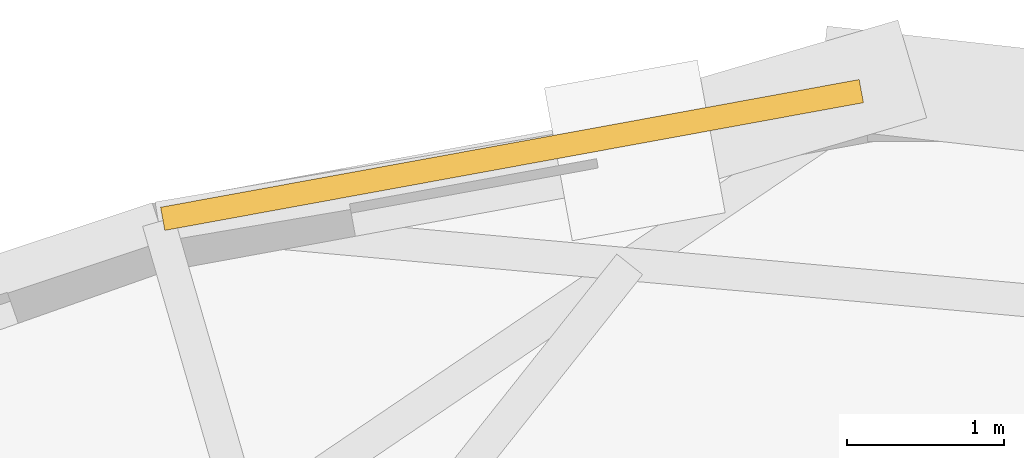
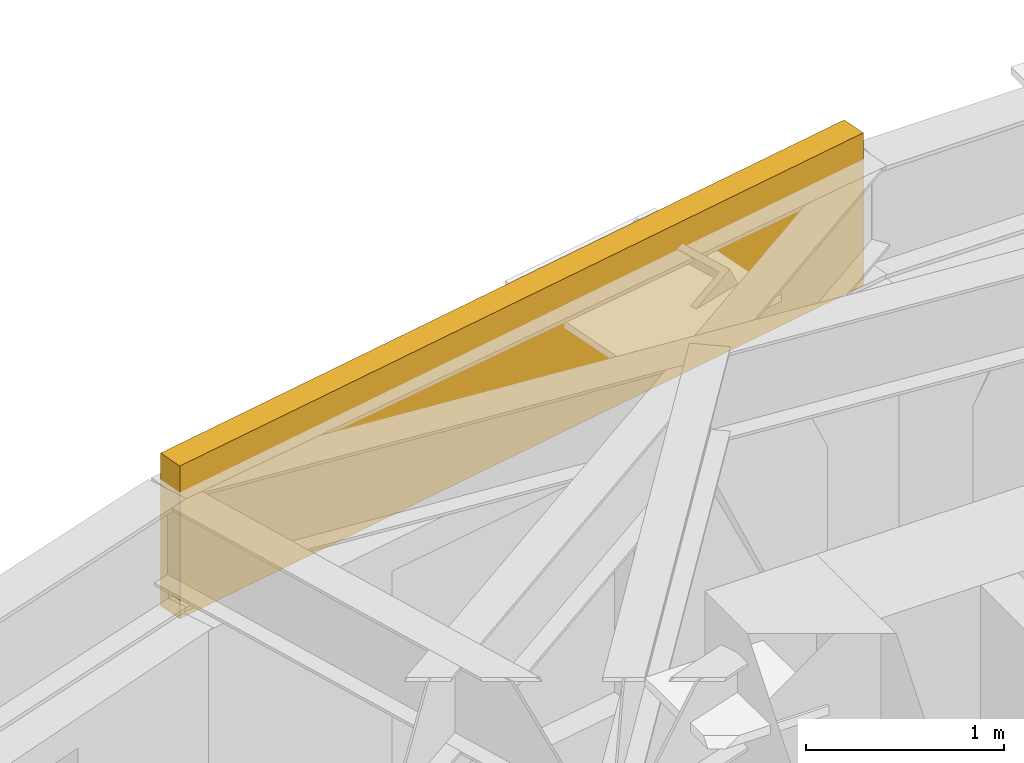
# One storey, part 15 of 15: 1 covering.
"""IFC4 building model written with IfcOpenShell, lengths in metres."""

from ifc_helpers import new_model, si_unit, direction, frame, origin, origin_2d, place, context, subcontext, project, spatial, rectangle, extrude, material, layer, layer_set, type_object, element, save


model = new_model("IFC4")

# Units and contexts
model_context = context("Model", 3, precision=1e-05, world=origin(), true_north=direction((0.0, 1.0)))
body_context = subcontext(model_context, "Body", "Model", "MODEL_VIEW")
ifc_project = project(units=[si_unit("LENGTHUNIT", "METRE"), si_unit("AREAUNIT", "SQUARE_METRE"), si_unit("VOLUMEUNIT", "CUBIC_METRE"), si_unit("PLANEANGLEUNIT", "RADIAN"), si_unit("MASSUNIT", "GRAM", prefix="KILO")], contexts=[model_context])

# Site, building, storey
site_placement = place(None, origin())
site = spatial("IfcSite", under=ifc_project, at=site_placement, CompositionType="ELEMENT")
building_placement = place(site_placement, origin())
building = spatial("IfcBuilding", under=site, at=building_placement, Name="Keldmark Tower", CompositionType="ELEMENT")
storey_placement = place(building_placement, frame((0.0, 0.0, 195.0)))
storey = spatial("IfcBuildingStorey", under=building, at=storey_placement, Name="L54", CompositionType="ELEMENT", Elevation=195.0)

# Covering
ifc_material = material(Name="Honed Kasota Buff Dolomitic Limestone", Category="masonry")
ifc_layer = layer(ifc_material, 0.074951171875)
ifc_layer_set = layer_set([ifc_layer], Name="Honed Kasota Buff Dolomitic Limestone")
covering_type = type_object("IfcCoveringType", Name="Kasota Buff Limestone Spandrel Cladding Band", PredefinedType="CLADDING", material=ifc_layer_set)
covering_placement = place(storey_placement, frame((-4.64111328125, 15.83251953125, 2.239013671875), z_axis=(0.0, 0.0, 1.0), x_axis=(-0.983694118433, -0.17984960762, 0.0)))
element("IfcCovering", 1, at=covering_placement, inside=storey, type_object=covering_type, Name="L54 Kasota Limestone Spandrel Band 09", PredefinedType="CLADDING", context=body_context, shape_type="SweptSolid", body=[
    extrude(rectangle(XDim=4.52490234375, YDim=0.14990234375, at=origin_2d()), origin(), (0.0, 0.0, 1.0), 0.94091796875),
])

save(model, "model.ifc")
